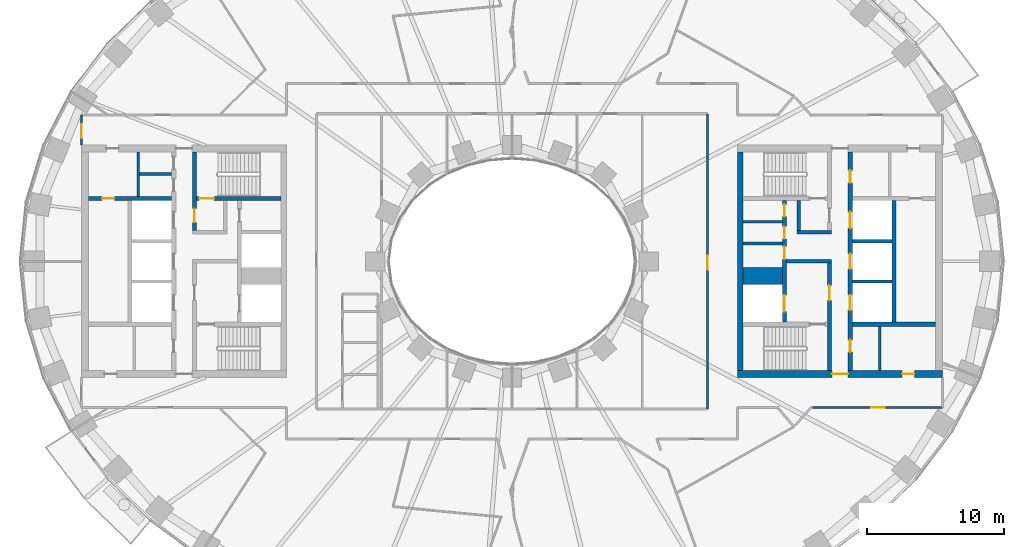
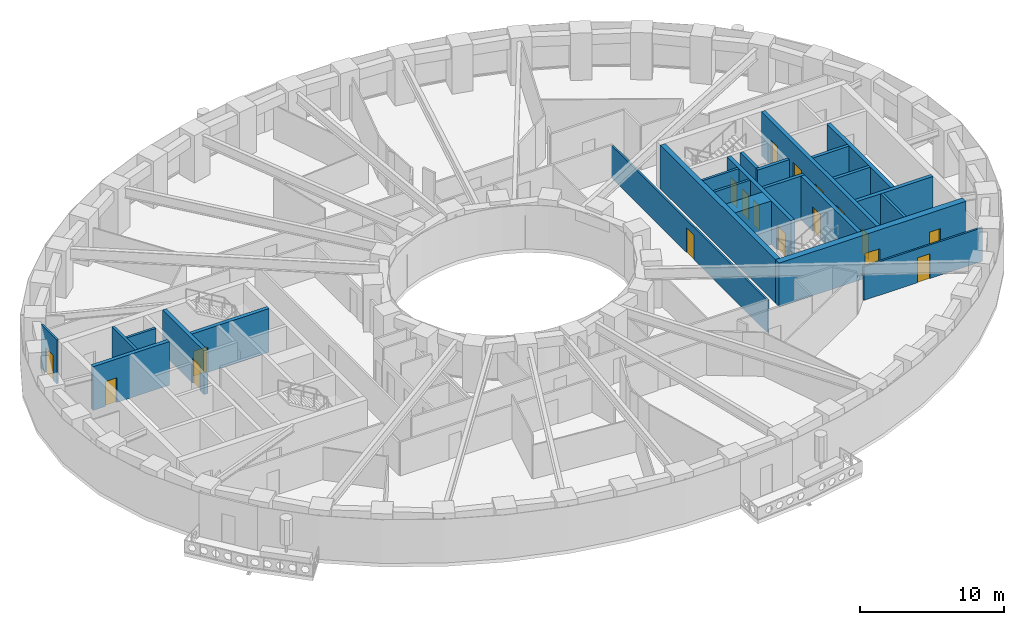
# One storey, part 5 of 16: 24 walls, 18 doors, 18 openings.
"""IFC4 building model written with IfcOpenShell, lengths in metres."""

from ifc_helpers import new_model, si_unit, direction, frame, frame_2d, origin, place, context, subcontext, project, spatial, rectangle, extrude, material, layer, layer_set, type_object, element, fill, save


model = new_model("IFC4")

# Units and contexts
model_context = context("Model", 3, precision=1e-05, world=origin(), true_north=direction((0.0, 1.0)))
body_context = subcontext(model_context, "Body", "Model", "MODEL_VIEW")
ifc_project = project(units=[si_unit("LENGTHUNIT", "METRE"), si_unit("AREAUNIT", "SQUARE_METRE"), si_unit("VOLUMEUNIT", "CUBIC_METRE"), si_unit("PLANEANGLEUNIT", "RADIAN"), si_unit("MASSUNIT", "GRAM", prefix="KILO")], contexts=[model_context])

# Site, building, storey
site_placement = place(None, origin())
site = spatial("IfcSite", under=ifc_project, at=site_placement, CompositionType="ELEMENT")
building_placement = place(site_placement, origin())
building = spatial("IfcBuilding", under=site, at=building_placement, Name="Noorbagh Ring Tower", CompositionType="ELEMENT")
storey_placement = place(building_placement, frame((0.0, 0.0, 42.5)))
storey = spatial("IfcBuildingStorey", under=building, at=storey_placement, Name="L08", CompositionType="ELEMENT", Elevation=42.5)

# Walls
ifc_material_1 = material(Name="Gypsum board on steel studs", Category="steel")
ifc_layer_1 = layer(ifc_material_1, 0.199951171875)
ifc_layer_set_1 = layer_set([ifc_layer_1], Name="Gypsum board on steel studs")
wall_type_1 = type_object("IfcWallType", Name="CORE-PARTITION-200", PredefinedType="PARTITIONING", material=ifc_layer_set_1)
wall_1_placement = place(storey_placement, frame((-27.35009765625, 4.75, 0.0), z_axis=(0.0, 0.0, 1.0), x_axis=(0.0, 1.0, 0.0)))
element("IfcWall", 1, at=wall_1_placement, inside=storey, type_object=wall_type_1, Name="Core partition W", PredefinedType="PARTITIONING", context=body_context, shape_type="SweptSolid", body=[
    extrude(rectangle(XDim=3.25, YDim=0.199951171875, at=frame_2d((1.625, 0.0))), origin(), (0.0, 0.0, 1.0), 3.699951171875),
])
wall_2_placement = place(storey_placement, frame((-24.89990234375, 6.39990234375, 0.0), z_axis=(0.0, 0.0, 1.0), x_axis=(-1.0, 0.0, 0.0)))
element("IfcWall", 2, at=wall_2_placement, inside=storey, type_object=wall_type_1, Name="Core partition W", PredefinedType="PARTITIONING", context=body_context, shape_type="SweptSolid", body=[
    extrude(rectangle(XDim=2.35009765625, YDim=0.199951171875, at=frame_2d((1.175048828125, 0.0))), origin(), (0.0, 0.0, 1.0), 3.699951171875),
])
for number, where, z_axis, x_axis, name in (
    (3, (16.89990234375, 1.300048828125, 0.0), (0.0, 0.0, 1.0), (1.0, 0.0, 0.0), "Core partition E"),
    (4, (16.89990234375, 2.89990234375, 0.0), (0.0, 0.0, 1.0), (1.0, 0.0, 0.0), "Core partition E"),
):
    element("IfcWall", number, at=place(storey_placement, frame(where, z_axis=z_axis, x_axis=x_axis)), inside=storey, type_object=wall_type_1, Name=name, PredefinedType="PARTITIONING", context=body_context, shape_type="SweptSolid", body=[
        extrude(rectangle(XDim=2.900146484375, YDim=0.199951171875, at=frame_2d((1.4501953125, 0.0))), origin(), (0.0, 0.0, 1.0), 3.699951171875),
    ])
wall_3_placement = place(storey_placement, frame((26.89990234375, -8.0, 0.0), z_axis=(0.0, 0.0, 1.0), x_axis=(0.0, 1.0, 0.0)))
element("IfcWall", 5, at=wall_3_placement, inside=storey, type_object=wall_type_1, Name="Core partition E", PredefinedType="PARTITIONING", context=body_context, shape_type="SweptSolid", body=[
    extrude(rectangle(XDim=3.25, YDim=0.199951171875, at=frame_2d((1.625, 0.0))), origin(), (0.0, 0.0, 1.0), 3.699951171875),
])
ifc_material_2 = material(Name="Concrete C70/85", Category="concrete")
ifc_layer_2 = layer(ifc_material_2, 1.25)
ifc_layer_set_2 = layer_set([ifc_layer_2], Name="Concrete C70/85")
wall_type_2 = type_object("IfcWallType", Name="CORE-WALL-1250-C70-85-EI120", PredefinedType="SHEAR", material=ifc_layer_set_2)
wall_4_placement = place(storey_placement, frame((16.89990234375, -1.074951171875, 0.0), z_axis=(0.0, 0.0, 1.0), x_axis=(1.0, 0.0, 0.0)))
element("IfcWall", 6, at=wall_4_placement, inside=storey, type_object=wall_type_2, Name="Core wall E", PredefinedType="SHEAR", context=body_context, shape_type="SweptSolid", body=[
    extrude(rectangle(XDim=2.900146484375, YDim=1.25, at=frame_2d((1.4501953125, 0.0))), origin(), (0.0, 0.0, 1.0), 3.699951171875),
])
ifc_material_3 = material(Name="Concrete C70/85", Category="concrete")
ifc_layer_3 = layer(ifc_material_3, 0.25)
ifc_layer_set_3 = layer_set([ifc_layer_3], Name="Concrete C70/85")
wall_type_3 = type_object("IfcWallType", Name="CORE-WALL-250-C70-85-EI120", PredefinedType="SHEAR", material=ifc_layer_set_3)
for number, where, z_axis, x_axis, name in (
    (7, (24.89990234375, -1.47509765625, 0.0), (0.0, 0.0, 1.0), (1.0, 0.0, 0.0), "Core wall E"),
    (8, (24.89990234375, 1.47509765625, 0.0), (0.0, 0.0, 1.0), (1.0, 0.0, 0.0), "Core wall E"),
):
    element("IfcWall", number, at=place(storey_placement, frame(where, z_axis=z_axis, x_axis=x_axis)), inside=storey, type_object=wall_type_3, Name=name, PredefinedType="SHEAR", context=body_context, shape_type="SweptSolid", body=[
        extrude(rectangle(XDim=2.900146484375, YDim=0.25, at=frame_2d((1.4501953125, 0.0))), origin(), (0.0, 0.0, 1.0), 3.699951171875),
    ])
ifc_material_4 = material(Name="Concrete C70/85", Category="concrete")
ifc_layer_4 = layer(ifc_material_4, 0.25)
ifc_layer_set_4 = layer_set([ifc_layer_4], Name="Concrete C70/85")
wall_type_4 = type_object("IfcWallType", Name="CORE-WALL-250-C70-85-EI240", PredefinedType="SHEAR", material=ifc_layer_set_4)
wall_5_placement = place(storey_placement, frame((20.10009765625, 0.0, 0.0), z_axis=(0.0, 0.0, 1.0), x_axis=(1.0, 0.0, 0.0)))
element("IfcWall", 9, at=wall_5_placement, inside=storey, type_object=wall_type_4, Name="Core wall E", PredefinedType="SHEAR", context=body_context, shape_type="SweptSolid", body=[
    extrude(rectangle(XDim=3.27978515625, YDim=0.25, at=frame_2d((1.639892578125, 0.0))), origin(), (0.0, 0.0, 1.0), 3.699951171875),
])
wall_6_placement = place(storey_placement, frame((20.85009765625, 2.125, 0.0), z_axis=(0.0, 0.0, 1.0), x_axis=(1.0, 0.0, 0.0)))
element("IfcWall", 10, at=wall_6_placement, inside=storey, type_object=wall_type_4, Name="Core wall E", PredefinedType="SHEAR", context=body_context, shape_type="SweptSolid", body=[
    extrude(rectangle(XDim=2.52978515625, YDim=0.25, at=frame_2d((1.264892578125, 0.0))), origin(), (0.0, 0.0, 1.0), 3.699951171875),
])
wall_7_placement = place(storey_placement, frame((20.97509765625, 2.25, 0.0), z_axis=(0.0, 0.0, 1.0), x_axis=(0.0, 1.0, 0.0)))
element("IfcWall", 11, at=wall_7_placement, inside=storey, type_object=wall_type_4, Name="Core wall E", PredefinedType="SHEAR", context=body_context, shape_type="SweptSolid", body=[
    extrude(rectangle(XDim=2.199951171875, YDim=0.25, at=frame_2d((1.10009765625, 0.0))), origin(), (0.0, 0.0, 1.0), 3.699951171875),
])
ifc_material_5 = material(Name="Concrete C70/85", Category="concrete")
ifc_layer_5 = layer(ifc_material_5, 0.300048828125)
ifc_layer_set_5 = layer_set([ifc_layer_5], Name="Concrete C70/85")
wall_type_5 = type_object("IfcWallType", Name="CORE-WALL-300-C70-85-EI120", PredefinedType="SHEAR", material=ifc_layer_set_5)
wall_8_placement = place(storey_placement, frame((27.949951171875, -4.449951171875, 0.0), z_axis=(0.0, 0.0, 1.0), x_axis=(0.0, 1.0, 0.0)))
element("IfcWall", 12, at=wall_8_placement, inside=storey, type_object=wall_type_5, Name="Core wall E", PredefinedType="SHEAR", context=body_context, shape_type="SweptSolid", body=[
    extrude(rectangle(XDim=8.89990234375, YDim=0.300048828125, at=frame_2d((4.449951171875, 0.0))), origin(), (0.0, 0.0, 1.0), 3.699951171875),
])

# Wall, openings, doors
wall_9_placement = place(storey_placement, frame((19.949951171875, -4.449951171875, 0.0), z_axis=(0.0, 0.0, 1.0), x_axis=(0.0, 1.0, 0.0)))
wall_9 = element("IfcWall", 13, at=wall_9_placement, inside=storey, type_object=wall_type_5, Name="Core wall E", PredefinedType="SHEAR", context=body_context, shape_type="SweptSolid", body=[
    extrude(rectangle(XDim=8.89990234375, YDim=0.300048828125, at=frame_2d((4.449951171875, 0.0))), origin(), (0.0, 0.0, 1.0), 3.699951171875),
])
opening_1_placement = place(wall_9_placement, frame((0.77490234375, 0.0, 0.0)))
opening_1 = element("IfcOpeningElement", 14, at=opening_1_placement, cuts=wall_9, Name="Opening L08-CE01", PredefinedType="OPENING", context=body_context, shape_type="SweptSolid", body=[
    extrude(rectangle(XDim=1.199951171875, YDim=2.10009765625, at=frame_2d((0.60009765625, 1.050048828125))), frame((0.0, 0.16015625, 0.0), z_axis=(0.0, -1.0, 0.0), x_axis=(1.0, 0.0, 0.0)), (0.0, 0.0, 1.0), 0.320068359375),
])
opening_2_placement = place(wall_9_placement, frame((4.6201171875, 0.0, 0.0)))
opening_2 = element("IfcOpeningElement", 15, at=opening_2_placement, cuts=wall_9, Name="Opening L08-CE11", PredefinedType="OPENING", context=body_context, shape_type="SweptSolid", body=[
    extrude(rectangle(XDim=0.89990234375, YDim=2.10009765625, at=frame_2d((0.449951171875, 1.050048828125))), frame((0.0, 0.16015625, 0.0), z_axis=(0.0, -1.0, 0.0), x_axis=(1.0, 0.0, 0.0)), (0.0, 0.0, 1.0), 0.320068359375),
])
opening_3_placement = place(wall_9_placement, frame((6.10009765625, 0.0, 0.0)))
opening_3 = element("IfcOpeningElement", 16, at=opening_3_placement, cuts=wall_9, Name="Opening L08-CE12", PredefinedType="OPENING", context=body_context, shape_type="SweptSolid", body=[
    extrude(rectangle(XDim=0.89990234375, YDim=2.10009765625, at=frame_2d((0.449951171875, 1.050048828125))), frame((0.0, 0.16015625, 0.0), z_axis=(0.0, -1.0, 0.0), x_axis=(1.0, 0.0, 0.0)), (0.0, 0.0, 1.0), 0.320068359375),
])
opening_4_placement = place(wall_9_placement, frame((7.72509765625, 0.0, 0.0)))
opening_4 = element("IfcOpeningElement", 17, at=opening_4_placement, cuts=wall_9, Name="Opening L08-CE13", PredefinedType="OPENING", context=body_context, shape_type="SweptSolid", body=[
    extrude(rectangle(XDim=0.89990234375, YDim=2.10009765625, at=frame_2d((0.449951171875, 1.050048828125))), frame((0.0, 0.16015625, 0.0), z_axis=(0.0, -1.0, 0.0), x_axis=(1.0, 0.0, 0.0)), (0.0, 0.0, 1.0), 0.320068359375),
])
ifc_material_6 = material(Name="Steel door leaf", Category="steel")
door_type_1 = type_object("IfcDoorType", Name="CORE-DOOR-DROOM", OperationType="SINGLE_SWING_LEFT", PredefinedType="DOOR", material=ifc_material_6)
door_1_placement = place(opening_2_placement, origin())
door_1 = element("IfcDoor", 18, at=door_1_placement, inside=storey, type_object=door_type_1, Name="Core room door L08-CE11", OperationType="SINGLE_SWING_LEFT", OverallHeight=2.10009765625, OverallWidth=0.89990234375, PredefinedType="DOOR", context=body_context, shape_type="SweptSolid", body=[
    extrude(rectangle(XDim=0.89990234375, YDim=2.10009765625, at=frame_2d((0.449951171875, 1.050048828125))), frame((0.0, 0.02490234375, 0.0), z_axis=(0.0, -1.0, 0.0), x_axis=(1.0, 0.0, 0.0)), (0.0, 0.0, 1.0), 0.050048828125),
])
fill(opening_2, door_1)
door_2_placement = place(opening_3_placement, origin())
door_2 = element("IfcDoor", 19, at=door_2_placement, inside=storey, type_object=door_type_1, Name="Core room door L08-CE12", OperationType="SINGLE_SWING_RIGHT", OverallHeight=2.10009765625, OverallWidth=0.89990234375, PredefinedType="DOOR", context=body_context, shape_type="SweptSolid", body=[
    extrude(rectangle(XDim=0.89990234375, YDim=2.10009765625, at=frame_2d((0.449951171875, 1.050048828125))), frame((0.0, 0.02490234375, 0.0), z_axis=(0.0, -1.0, 0.0), x_axis=(1.0, 0.0, 0.0)), (0.0, 0.0, 1.0), 0.050048828125),
])
fill(opening_3, door_2)
door_3_placement = place(opening_4_placement, origin())
door_3 = element("IfcDoor", 20, at=door_3_placement, inside=storey, type_object=door_type_1, Name="Core room door L08-CE13", OperationType="SINGLE_SWING_RIGHT", OverallHeight=2.10009765625, OverallWidth=0.89990234375, PredefinedType="DOOR", context=body_context, shape_type="SweptSolid", body=[
    extrude(rectangle(XDim=0.89990234375, YDim=2.10009765625, at=frame_2d((0.449951171875, 1.050048828125))), frame((0.0, 0.02490234375, 0.0), z_axis=(0.0, -1.0, 0.0), x_axis=(1.0, 0.0, 0.0)), (0.0, 0.0, 1.0), 0.050048828125),
])
fill(opening_4, door_3)
ifc_material_7 = material(Name="Steel door leaf", Category="steel")
door_type_2 = type_object("IfcDoorType", Name="CORE-DOOR-LDW", OperationType="DOUBLE_DOOR_SLIDING", PredefinedType="DOOR", material=ifc_material_7)
door_4_placement = place(opening_1_placement, origin())
door_4 = element("IfcDoor", 21, at=door_4_placement, inside=storey, type_object=door_type_2, Name="Landing door FF2 L08-CE01", OperationType="DOUBLE_DOOR_SLIDING", OverallHeight=2.10009765625, OverallWidth=1.199951171875, PredefinedType="DOOR", context=body_context, shape_type="SweptSolid", body=[
    extrude(rectangle(XDim=1.199951171875, YDim=2.10009765625, at=frame_2d((0.60009765625, 1.050048828125))), frame((0.0, 0.02490234375, 0.0), z_axis=(0.0, -1.0, 0.0), x_axis=(1.0, 0.0, 0.0)), (0.0, 0.0, 1.0), 0.050048828125),
])
fill(opening_1, door_4)

wall_10_placement = place(storey_placement, frame((24.75, -8.0, 0.0), z_axis=(0.0, 0.0, 1.0), x_axis=(0.0, 1.0, 0.0)))
wall_10 = element("IfcWall", 22, at=wall_10_placement, inside=storey, type_object=wall_type_5, Name="Core wall E", PredefinedType="SHEAR", context=body_context, shape_type="SweptSolid", body=[
    extrude(rectangle(XDim=16.0, YDim=0.300048828125, at=frame_2d((8.0, 0.0))), origin(), (0.0, 0.0, 1.0), 3.699951171875),
])
opening_5_placement = place(wall_10_placement, frame((4.425048828125, 0.0, 0.0)))
opening_5 = element("IfcOpeningElement", 23, at=opening_5_placement, cuts=wall_10, Name="Opening L08-CE02", PredefinedType="OPENING", context=body_context, shape_type="SweptSolid", body=[
    extrude(rectangle(XDim=1.10009765625, YDim=2.10009765625, at=frame_2d((0.550048828125, 1.050048828125))), frame((0.0, 0.16015625, 0.0), z_axis=(0.0, -1.0, 0.0), x_axis=(1.0, 0.0, 0.0)), (0.0, 0.0, 1.0), 0.320068359375),
])
opening_6_placement = place(wall_10_placement, frame((7.449951171875, 0.0, 0.0)))
opening_6 = element("IfcOpeningElement", 24, at=opening_6_placement, cuts=wall_10, Name="Opening L08-CE03", PredefinedType="OPENING", context=body_context, shape_type="SweptSolid", body=[
    extrude(rectangle(XDim=1.10009765625, YDim=2.10009765625, at=frame_2d((0.550048828125, 1.050048828125))), frame((0.0, 0.16015625, 0.0), z_axis=(0.0, -1.0, 0.0), x_axis=(1.0, 0.0, 0.0)), (0.0, 0.0, 1.0), 0.320068359375),
])
opening_7_placement = place(wall_10_placement, frame((10.425048828125, 0.0, 0.0)))
opening_7 = element("IfcOpeningElement", 25, at=opening_7_placement, cuts=wall_10, Name="Opening L08-CE04", PredefinedType="OPENING", context=body_context, shape_type="SweptSolid", body=[
    extrude(rectangle(XDim=1.199951171875, YDim=2.10009765625, at=frame_2d((0.60009765625, 1.050048828125))), frame((0.0, 0.16015625, 0.0), z_axis=(0.0, -1.0, 0.0), x_axis=(1.0, 0.0, 0.0)), (0.0, 0.0, 1.0), 0.320068359375),
])
opening_8_placement = place(wall_10_placement, frame((13.75, 0.0, 0.0)))
opening_8 = element("IfcOpeningElement", 26, at=opening_8_placement, cuts=wall_10, Name="Opening L08-CE14", PredefinedType="OPENING", context=body_context, shape_type="SweptSolid", body=[
    extrude(rectangle(XDim=0.89990234375, YDim=2.10009765625, at=frame_2d((0.449951171875, 1.050048828125))), frame((0.0, 0.16015625, 0.0), z_axis=(0.0, -1.0, 0.0), x_axis=(1.0, 0.0, 0.0)), (0.0, 0.0, 1.0), 0.320068359375),
])
opening_9_placement = place(wall_10_placement, frame((1.35009765625, 0.0, 0.0)))
opening_9 = element("IfcOpeningElement", 27, at=opening_9_placement, cuts=wall_10, Name="Opening L08-CE16", PredefinedType="OPENING", context=body_context, shape_type="SweptSolid", body=[
    extrude(rectangle(XDim=0.89990234375, YDim=2.10009765625, at=frame_2d((0.449951171875, 1.050048828125))), frame((0.0, 0.16015625, 0.0), z_axis=(0.0, -1.0, 0.0), x_axis=(1.0, 0.0, 0.0)), (0.0, 0.0, 1.0), 0.320068359375),
])
door_5_placement = place(opening_8_placement, origin())
door_5 = element("IfcDoor", 28, at=door_5_placement, inside=storey, type_object=door_type_1, Name="Core room door L08-CE14", OperationType="SINGLE_SWING_LEFT", OverallHeight=2.10009765625, OverallWidth=0.89990234375, PredefinedType="DOOR", context=body_context, shape_type="SweptSolid", body=[
    extrude(rectangle(XDim=0.89990234375, YDim=2.10009765625, at=frame_2d((0.449951171875, 1.050048828125))), frame((0.0, 0.02490234375, 0.0), z_axis=(0.0, -1.0, 0.0), x_axis=(1.0, 0.0, 0.0)), (0.0, 0.0, 1.0), 0.050048828125),
])
fill(opening_8, door_5)
door_6_placement = place(opening_9_placement, origin())
door_6 = element("IfcDoor", 29, at=door_6_placement, inside=storey, type_object=door_type_1, Name="Core room door L08-CE16", OperationType="SINGLE_SWING_RIGHT", OverallHeight=2.10009765625, OverallWidth=0.89990234375, PredefinedType="DOOR", context=body_context, shape_type="SweptSolid", body=[
    extrude(rectangle(XDim=0.89990234375, YDim=2.10009765625, at=frame_2d((0.449951171875, 1.050048828125))), frame((0.0, 0.02490234375, 0.0), z_axis=(0.0, -1.0, 0.0), x_axis=(1.0, 0.0, 0.0)), (0.0, 0.0, 1.0), 0.050048828125),
])
fill(opening_9, door_6)
ifc_material_8 = material(Name="Steel door leaf", Category="steel")
door_type_3 = type_object("IfcDoorType", Name="CORE-DOOR-LD", OperationType="DOUBLE_DOOR_SLIDING", PredefinedType="DOOR", material=ifc_material_8)
door_7_placement = place(opening_5_placement, origin())
door_7 = element("IfcDoor", 30, at=door_7_placement, inside=storey, type_object=door_type_3, Name="Landing door LR3 L08-CE02", OperationType="DOUBLE_DOOR_SLIDING", OverallHeight=2.10009765625, OverallWidth=1.10009765625, PredefinedType="DOOR", context=body_context, shape_type="SweptSolid", body=[
    extrude(rectangle(XDim=1.10009765625, YDim=2.10009765625, at=frame_2d((0.550048828125, 1.050048828125))), frame((0.0, 0.02490234375, 0.0), z_axis=(0.0, -1.0, 0.0), x_axis=(1.0, 0.0, 0.0)), (0.0, 0.0, 1.0), 0.050048828125),
])
fill(opening_5, door_7)
door_8_placement = place(opening_6_placement, origin())
door_8 = element("IfcDoor", 31, at=door_8_placement, inside=storey, type_object=door_type_3, Name="Landing door LR4 L08-CE03", OperationType="DOUBLE_DOOR_SLIDING", OverallHeight=2.10009765625, OverallWidth=1.10009765625, PredefinedType="DOOR", context=body_context, shape_type="SweptSolid", body=[
    extrude(rectangle(XDim=1.10009765625, YDim=2.10009765625, at=frame_2d((0.550048828125, 1.050048828125))), frame((0.0, 0.02490234375, 0.0), z_axis=(0.0, -1.0, 0.0), x_axis=(1.0, 0.0, 0.0)), (0.0, 0.0, 1.0), 0.050048828125),
])
fill(opening_6, door_8)
door_9_placement = place(opening_7_placement, origin())
door_9 = element("IfcDoor", 32, at=door_9_placement, inside=storey, type_object=door_type_2, Name="Landing door SV2 L08-CE04", OperationType="DOUBLE_DOOR_SLIDING", OverallHeight=2.10009765625, OverallWidth=1.199951171875, PredefinedType="DOOR", context=body_context, shape_type="SweptSolid", body=[
    extrude(rectangle(XDim=1.199951171875, YDim=2.10009765625, at=frame_2d((0.60009765625, 1.050048828125))), frame((0.0, 0.02490234375, 0.0), z_axis=(0.0, -1.0, 0.0), x_axis=(1.0, 0.0, 0.0)), (0.0, 0.0, 1.0), 0.050048828125),
])
fill(opening_7, door_9)

# Wall, opening, door
ifc_material_9 = material(Name="Concrete C70/85", Category="concrete")
ifc_layer_6 = layer(ifc_material_9, 0.300048828125)
ifc_layer_set_6 = layer_set([ifc_layer_6], Name="Concrete C70/85")
wall_type_6 = type_object("IfcWallType", Name="CORE-WALL-300-C70-85-EI240", PredefinedType="SHEAR", material=ifc_layer_set_6)
wall_11_placement = place(storey_placement, frame((-24.89990234375, 4.60009765625, 0.0), z_axis=(0.0, 0.0, 1.0), x_axis=(-1.0, 0.0, 0.0)))
wall_11 = element("IfcWall", 33, at=wall_11_placement, inside=storey, type_object=wall_type_6, Name="Core wall W", PredefinedType="SHEAR", context=body_context, shape_type="SweptSolid", body=[
    extrude(rectangle(XDim=6.10009765625, YDim=0.300048828125, at=frame_2d((3.050048828125, 0.0))), origin(), (0.0, 0.0, 1.0), 3.699951171875),
])
opening_10_placement = place(wall_11_placement, frame((4.199951171875, 0.0, 0.0)))
opening_10 = element("IfcOpeningElement", 34, at=opening_10_placement, cuts=wall_11, Name="Opening L08-CW17", PredefinedType="OPENING", context=body_context, shape_type="SweptSolid", body=[
    extrude(rectangle(XDim=0.89990234375, YDim=2.10009765625, at=frame_2d((0.449951171875, 1.050048828125))), frame((0.0, 0.16015625, 0.0), z_axis=(0.0, -1.0, 0.0), x_axis=(1.0, 0.0, 0.0)), (0.0, 0.0, 1.0), 0.320068359375),
])
door_10_placement = place(opening_10_placement, origin())
door_10 = element("IfcDoor", 35, at=door_10_placement, inside=storey, type_object=door_type_1, Name="Core room door L08-CW17", OperationType="SINGLE_SWING_LEFT", OverallHeight=2.10009765625, OverallWidth=0.89990234375, PredefinedType="DOOR", context=body_context, shape_type="SweptSolid", body=[
    extrude(rectangle(XDim=0.89990234375, YDim=2.10009765625, at=frame_2d((0.449951171875, 1.050048828125))), frame((0.0, 0.02490234375, 0.0), z_axis=(0.0, -1.0, 0.0), x_axis=(1.0, 0.0, 0.0)), (0.0, 0.0, 1.0), 0.050048828125),
])
fill(opening_10, door_10)

wall_12_placement = place(storey_placement, frame((-23.22998046875, 2.25, 0.0), z_axis=(0.0, 0.0, 1.0), x_axis=(0.0, 1.0, 0.0)))
wall_12 = element("IfcWall", 36, at=wall_12_placement, inside=storey, type_object=wall_type_6, Name="Core wall W", PredefinedType="SHEAR", context=body_context, shape_type="SweptSolid", body=[
    extrude(rectangle(XDim=5.75, YDim=0.300048828125, at=frame_2d((2.875, 0.0))), origin(), (0.0, 0.0, 1.0), 3.699951171875),
])
opening_11_placement = place(wall_12_placement, frame((0.60009765625, 0.0, 0.0)))
opening_11 = element("IfcOpeningElement", 37, at=opening_11_placement, cuts=wall_12, Name="Opening L08-CW08", PredefinedType="OPENING", context=body_context, shape_type="SweptSolid", body=[
    extrude(rectangle(XDim=1.0, YDim=2.10009765625, at=frame_2d((0.5, 1.050048828125))), frame((0.0, 0.16015625, 0.0), z_axis=(0.0, -1.0, 0.0), x_axis=(1.0, 0.0, 0.0)), (0.0, 0.0, 1.0), 0.320068359375),
])
ifc_material_10 = material(Name="Steel door leaf", Category="steel")
door_type_4 = type_object("IfcDoorType", Name="CORE-DOOR-DVEST", OperationType="SINGLE_SWING_LEFT", PredefinedType="DOOR", material=ifc_material_10)
door_11_placement = place(opening_11_placement, origin())
door_11 = element("IfcDoor", 38, at=door_11_placement, inside=storey, type_object=door_type_4, Name="Stair vestibule door L08-CW08", OperationType="SINGLE_SWING_LEFT", OverallHeight=2.10009765625, OverallWidth=1.0, PredefinedType="DOOR", context=body_context, shape_type="SweptSolid", body=[
    extrude(rectangle(XDim=1.0, YDim=2.10009765625, at=frame_2d((0.5, 1.050048828125))), frame((0.0, 0.02490234375, 0.0), z_axis=(0.0, -1.0, 0.0), x_axis=(1.0, 0.0, 0.0)), (0.0, 0.0, 1.0), 0.050048828125),
])
fill(opening_11, door_11)

wall_13_placement = place(storey_placement, frame((-16.89990234375, 4.60009765625, 0.0), z_axis=(0.0, 0.0, 1.0), x_axis=(-1.0, 0.0, 0.0)))
wall_13 = element("IfcWall", 39, at=wall_13_placement, inside=storey, type_object=wall_type_6, Name="Core wall W", PredefinedType="SHEAR", context=body_context, shape_type="SweptSolid", body=[
    extrude(rectangle(XDim=6.18017578125, YDim=0.300048828125, at=frame_2d((3.090087890625, 0.0))), origin(), (0.0, 0.0, 1.0), 3.699951171875),
])
opening_12_placement = place(wall_13_placement, frame((4.89990234375, 0.0, 0.0)))
opening_12 = element("IfcOpeningElement", 40, at=opening_12_placement, cuts=wall_13, Name="Opening L08-CW05", PredefinedType="OPENING", context=body_context, shape_type="SweptSolid", body=[
    extrude(rectangle(XDim=1.10009765625, YDim=2.10009765625, at=frame_2d((0.550048828125, 1.050048828125))), frame((0.0, 0.16015625, 0.0), z_axis=(0.0, -1.0, 0.0), x_axis=(1.0, 0.0, 0.0)), (0.0, 0.0, 1.0), 0.320068359375),
])
ifc_material_11 = material(Name="Steel door leaf", Category="steel")
door_type_5 = type_object("IfcDoorType", Name="CORE-DOOR-DSTAIR", OperationType="SINGLE_SWING_LEFT", PredefinedType="DOOR", material=ifc_material_11)
door_12_placement = place(opening_12_placement, origin())
door_12 = element("IfcDoor", 41, at=door_12_placement, inside=storey, type_object=door_type_5, Name="Stair door ST1 L08-CW05", OperationType="SINGLE_SWING_RIGHT", OverallHeight=2.10009765625, OverallWidth=1.10009765625, PredefinedType="DOOR", context=body_context, shape_type="SweptSolid", body=[
    extrude(rectangle(XDim=1.10009765625, YDim=2.10009765625, at=frame_2d((0.550048828125, 1.050048828125))), frame((0.0, 0.02490234375, 0.0), z_axis=(0.0, -1.0, 0.0), x_axis=(1.0, 0.0, 0.0)), (0.0, 0.0, 1.0), 0.050048828125),
])
fill(opening_12, door_12)

# Wall
wall_14_placement = place(storey_placement, frame((24.89990234375, -4.60009765625, 0.0), z_axis=(0.0, 0.0, 1.0), x_axis=(1.0, 0.0, 0.0)))
element("IfcWall", 42, at=wall_14_placement, inside=storey, type_object=wall_type_6, Name="Core wall E", PredefinedType="SHEAR", context=body_context, shape_type="SweptSolid", body=[
    extrude(rectangle(XDim=6.10009765625, YDim=0.300048828125, at=frame_2d((3.050048828125, 0.0))), origin(), (0.0, 0.0, 1.0), 3.699951171875),
])

# Wall, opening, door
wall_15_placement = place(storey_placement, frame((23.22998046875, -8.0, 0.0), z_axis=(0.0, 0.0, 1.0), x_axis=(0.0, 1.0, 0.0)))
wall_15 = element("IfcWall", 43, at=wall_15_placement, inside=storey, type_object=wall_type_6, Name="Core wall E", PredefinedType="SHEAR", context=body_context, shape_type="SweptSolid", body=[
    extrude(rectangle(XDim=7.875, YDim=0.300048828125, at=frame_2d((3.9375, 0.0))), origin(), (0.0, 0.0, 1.0), 3.699951171875),
])
opening_13_placement = place(wall_15_placement, frame((5.14990234375, 0.0, 0.0)))
opening_13 = element("IfcOpeningElement", 44, at=opening_13_placement, cuts=wall_15, Name="Opening L08-CE07", PredefinedType="OPENING", context=body_context, shape_type="SweptSolid", body=[
    extrude(rectangle(XDim=1.10009765625, YDim=2.10009765625, at=frame_2d((0.550048828125, 1.050048828125))), frame((0.0, 0.16015625, 0.0), z_axis=(0.0, -1.0, 0.0), x_axis=(1.0, 0.0, 0.0)), (0.0, 0.0, 1.0), 0.320068359375),
])
ifc_material_12 = material(Name="Steel door leaf", Category="steel")
door_type_6 = type_object("IfcDoorType", Name="CORE-DOOR-DFF", OperationType="SINGLE_SWING_LEFT", PredefinedType="DOOR", material=ifc_material_12)
door_13_placement = place(opening_13_placement, origin())
door_13 = element("IfcDoor", 45, at=door_13_placement, inside=storey, type_object=door_type_6, Name="Firefighting lobby door L08-CE07", OperationType="SINGLE_SWING_RIGHT", OverallHeight=2.10009765625, OverallWidth=1.10009765625, PredefinedType="DOOR", context=body_context, shape_type="SweptSolid", body=[
    extrude(rectangle(XDim=1.10009765625, YDim=2.10009765625, at=frame_2d((0.550048828125, 1.050048828125))), frame((0.0, 0.02490234375, 0.0), z_axis=(0.0, -1.0, 0.0), x_axis=(1.0, 0.0, 0.0)), (0.0, 0.0, 1.0), 0.050048828125),
])
fill(opening_13, door_13)

# Wall
ifc_material_13 = material(Name="Concrete C70/85", Category="concrete")
ifc_layer_7 = layer(ifc_material_13, 0.39990234375)
ifc_layer_set_7 = layer_set([ifc_layer_7], Name="Concrete C70/85")
wall_type_7 = type_object("IfcWallType", Name="CORE-WALL-400-C70-85-EI240", PredefinedType="SHEAR", material=ifc_layer_set_7)
wall_16_placement = place(storey_placement, frame((16.699951171875, -8.0, 0.0), z_axis=(0.0, 0.0, 1.0), x_axis=(0.0, 1.0, 0.0)))
element("IfcWall", 46, at=wall_16_placement, inside=storey, type_object=wall_type_7, Name="Core wall E", PredefinedType="SHEAR", context=body_context, shape_type="SweptSolid", body=[
    extrude(rectangle(XDim=16.0, YDim=0.39990234375, at=frame_2d((8.0, 0.0))), origin(), (0.0, 0.0, 1.0), 3.699951171875),
])

# Wall, openings, doors
ifc_material_14 = material(Name="Concrete C70/85", Category="concrete")
ifc_layer_8 = layer(ifc_material_14, 0.5)
ifc_layer_set_8 = layer_set([ifc_layer_8], Name="Concrete C70/85")
wall_type_8 = type_object("IfcWallType", Name="CORE-WALL-500-C70-85-EI240", PredefinedType="SHEAR", material=ifc_layer_set_8)
wall_17_placement = place(storey_placement, frame((16.5, -8.25, 0.0), z_axis=(0.0, 0.0, 1.0), x_axis=(1.0, 0.0, 0.0)))
wall_17 = element("IfcWall", 47, at=wall_17_placement, inside=storey, type_object=wall_type_8, Name="Core wall E", PredefinedType="SHEAR", context=body_context, shape_type="SweptSolid", body=[
    extrude(rectangle(XDim=15.0, YDim=0.5, at=frame_2d((7.5, 0.0))), origin(), (0.0, 0.0, 1.0), 3.699951171875),
])
opening_14_placement = place(wall_17_placement, frame((6.89990234375, 0.0, 0.0)))
opening_14 = element("IfcOpeningElement", 48, at=opening_14_placement, cuts=wall_17, Name="Opening L08-CE10", PredefinedType="OPENING", context=body_context, shape_type="SweptSolid", body=[
    extrude(rectangle(XDim=1.199951171875, YDim=2.10009765625, at=frame_2d((0.60009765625, 1.050048828125))), frame((0.0, 0.260009765625, 0.0), z_axis=(0.0, -1.0, 0.0), x_axis=(1.0, 0.0, 0.0)), (0.0, 0.0, 1.0), 0.52001953125),
])
opening_15_placement = place(wall_17_placement, frame((12.050048828125, 0.0, 0.0)))
opening_15 = element("IfcOpeningElement", 49, at=opening_15_placement, cuts=wall_17, Name="Opening L08-CE17", PredefinedType="OPENING", context=body_context, shape_type="SweptSolid", body=[
    extrude(rectangle(XDim=0.89990234375, YDim=2.10009765625, at=frame_2d((0.449951171875, 1.050048828125))), frame((0.0, 0.260009765625, 0.0), z_axis=(0.0, -1.0, 0.0), x_axis=(1.0, 0.0, 0.0)), (0.0, 0.0, 1.0), 0.52001953125),
])
door_14_placement = place(opening_15_placement, origin())
door_14 = element("IfcDoor", 50, at=door_14_placement, inside=storey, type_object=door_type_1, Name="Core room door L08-CE17", OperationType="SINGLE_SWING_RIGHT", OverallHeight=2.10009765625, OverallWidth=0.89990234375, PredefinedType="DOOR", context=body_context, shape_type="SweptSolid", body=[
    extrude(rectangle(XDim=0.89990234375, YDim=2.10009765625, at=frame_2d((0.449951171875, 1.050048828125))), frame((0.0, 0.02490234375, 0.0), z_axis=(0.0, -1.0, 0.0), x_axis=(1.0, 0.0, 0.0)), (0.0, 0.0, 1.0), 0.050048828125),
])
fill(opening_15, door_14)
ifc_material_15 = material(Name="Steel door leaf", Category="steel")
door_type_7 = type_object("IfcDoorType", Name="CORE-DOOR-PORT", OperationType="DOUBLE_DOOR_DOUBLE_SWING", PredefinedType="DOOR", material=ifc_material_15)
door_15_placement = place(opening_14_placement, origin())
door_15 = element("IfcDoor", 51, at=door_15_placement, inside=storey, type_object=door_type_7, Name="Core entrance door L08-CE10", OperationType="DOUBLE_DOOR_DOUBLE_SWING", OverallHeight=2.10009765625, OverallWidth=1.199951171875, PredefinedType="DOOR", context=body_context, shape_type="SweptSolid", body=[
    extrude(rectangle(XDim=1.199951171875, YDim=2.10009765625, at=frame_2d((0.60009765625, 1.050048828125))), frame((0.0, 0.02490234375, 0.0), z_axis=(0.0, -1.0, 0.0), x_axis=(1.0, 0.0, 0.0)), (0.0, 0.0, 1.0), 0.050048828125),
])
fill(opening_14, door_15)

# Wall, opening, door
ifc_material_16 = material(Name="Gypsum board on steel studs", Category="steel")
ifc_layer_9 = layer(ifc_material_16, 0.14990234375)
ifc_layer_set_9 = layer_set([ifc_layer_9], Name="Gypsum board on steel studs")
wall_type_9 = type_object("IfcWallType", Name="CORRIDOR PARTITION 150 EI 30", PredefinedType="PARTITIONING", material=ifc_layer_set_9)
wall_18_placement = place(storey_placement, frame((-31.5, 8.5, 0.0), z_axis=(0.0, 0.0, 1.0), x_axis=(0.0, 1.0, 0.0)))
wall_18 = element("IfcWall", 52, at=wall_18_placement, inside=storey, type_object=wall_type_9, Name="L08/wall/P06", PredefinedType="PARTITIONING", context=body_context, shape_type="SweptSolid", body=[
    extrude(rectangle(XDim=2.199951171875, YDim=0.14990234375, at=frame_2d((1.10009765625, 0.0))), origin(), (0.0, 0.0, 1.0), 3.699951171875),
])
opening_16_placement = place(wall_18_placement, frame((0.550048828125, 0.0, 0.0)))
opening_16 = element("IfcOpeningElement", 53, at=opening_16_placement, cuts=wall_18, Name="Opening D1", PredefinedType="OPENING", context=body_context, shape_type="SweptSolid", body=[
    extrude(rectangle(XDim=1.0, YDim=2.10009765625, at=frame_2d((0.5, 1.050048828125))), frame((0.0, 0.0849609375, 0.0), z_axis=(0.0, -1.0, 0.0), x_axis=(1.0, 0.0, 0.0)), (0.0, 0.0, 1.0), 0.169921875),
])
ifc_material_17 = material(Name="Timber, painted", Category="wood")
door_type_8 = type_object("IfcDoorType", Name="DOOR 1000 X 2100 FD30", OperationType="SINGLE_SWING_LEFT", PredefinedType="DOOR", material=ifc_material_17)
door_16_placement = place(opening_16_placement, origin())
door_16 = element("IfcDoor", 54, at=door_16_placement, inside=storey, type_object=door_type_8, Name="L08-D07", OperationType="SINGLE_SWING_LEFT", OverallHeight=2.10009765625, OverallWidth=1.0, PredefinedType="DOOR", context=body_context, shape_type="SweptSolid", body=[
    extrude(rectangle(XDim=1.0, YDim=2.10009765625, at=frame_2d((0.5, 1.050048828125))), frame((0.0, 0.02490234375, 0.0), z_axis=(0.0, -1.0, 0.0), x_axis=(1.0, 0.0, 0.0)), (0.0, 0.0, 1.0), 0.050048828125),
])
fill(opening_16, door_16)

wall_19_placement = place(storey_placement, frame((14.300048828125, -10.800048828125, 0.0), z_axis=(0.0, 0.0, 1.0), x_axis=(0.0, 1.0, 0.0)))
wall_19 = element("IfcWall", 55, at=wall_19_placement, inside=storey, type_object=wall_type_9, Name="L08/wall/P73", PredefinedType="PARTITIONING", context=body_context, shape_type="SweptSolid", body=[
    extrude(rectangle(XDim=21.60009765625, YDim=0.14990234375, at=frame_2d((10.800048828125, 0.0))), origin(), (0.0, 0.0, 1.0), 2.75),
])
opening_17_placement = place(wall_19_placement, frame((10.199951171875, 0.0, 0.0)))
opening_17 = element("IfcOpeningElement", 56, at=opening_17_placement, cuts=wall_19, Name="Opening D1", PredefinedType="OPENING", context=body_context, shape_type="SweptSolid", body=[
    extrude(rectangle(XDim=1.0, YDim=2.10009765625, at=frame_2d((0.5, 1.050048828125))), frame((0.0, 0.0849609375, 0.0), z_axis=(0.0, -1.0, 0.0), x_axis=(1.0, 0.0, 0.0)), (0.0, 0.0, 1.0), 0.169921875),
])
door_17_placement = place(opening_17_placement, origin())
door_17 = element("IfcDoor", 57, at=door_17_placement, inside=storey, type_object=door_type_8, Name="L08-D26", OperationType="SINGLE_SWING_RIGHT", OverallHeight=2.10009765625, OverallWidth=1.0, PredefinedType="DOOR", context=body_context, shape_type="SweptSolid", body=[
    extrude(rectangle(XDim=1.0, YDim=2.10009765625, at=frame_2d((0.5, 1.050048828125))), frame((0.0, 0.02490234375, 0.0), z_axis=(0.0, -1.0, 0.0), x_axis=(1.0, 0.0, 0.0)), (0.0, 0.0, 1.0), 0.050048828125),
])
fill(opening_17, door_17)

wall_20_placement = place(storey_placement, frame((21.97509765625, -10.699951171875, 0.0), z_axis=(0.0, 0.0, 1.0), x_axis=(1.0, 0.0, 0.0)))
wall_20 = element("IfcWall", 58, at=wall_20_placement, inside=storey, type_object=wall_type_9, Name="L08/wall/P82", PredefinedType="PARTITIONING", context=body_context, shape_type="SweptSolid", body=[
    extrude(rectangle(XDim=9.52490234375, YDim=0.14990234375, at=frame_2d((4.762451171875, 0.0))), origin(), (0.0, 0.0, 1.0), 2.85009765625),
])
opening_18_placement = place(wall_20_placement, frame((4.300048828125, 0.0, 0.0)))
opening_18 = element("IfcOpeningElement", 59, at=opening_18_placement, cuts=wall_20, Name="Opening D1", PredefinedType="OPENING", context=body_context, shape_type="SweptSolid", body=[
    extrude(rectangle(XDim=1.0, YDim=2.10009765625, at=frame_2d((0.5, 1.050048828125))), frame((0.0, 0.0849609375, 0.0), z_axis=(0.0, -1.0, 0.0), x_axis=(1.0, 0.0, 0.0)), (0.0, 0.0, 1.0), 0.169921875),
])
door_18_placement = place(opening_18_placement, origin())
door_18 = element("IfcDoor", 60, at=door_18_placement, inside=storey, type_object=door_type_8, Name="L08-D18", OperationType="SINGLE_SWING_RIGHT", OverallHeight=2.10009765625, OverallWidth=1.0, PredefinedType="DOOR", context=body_context, shape_type="SweptSolid", body=[
    extrude(rectangle(XDim=1.0, YDim=2.10009765625, at=frame_2d((0.5, 1.050048828125))), frame((0.0, 0.02490234375, 0.0), z_axis=(0.0, -1.0, 0.0), x_axis=(1.0, 0.0, 0.0)), (0.0, 0.0, 1.0), 0.050048828125),
])
fill(opening_18, door_18)

save(model, "model.ifc")
